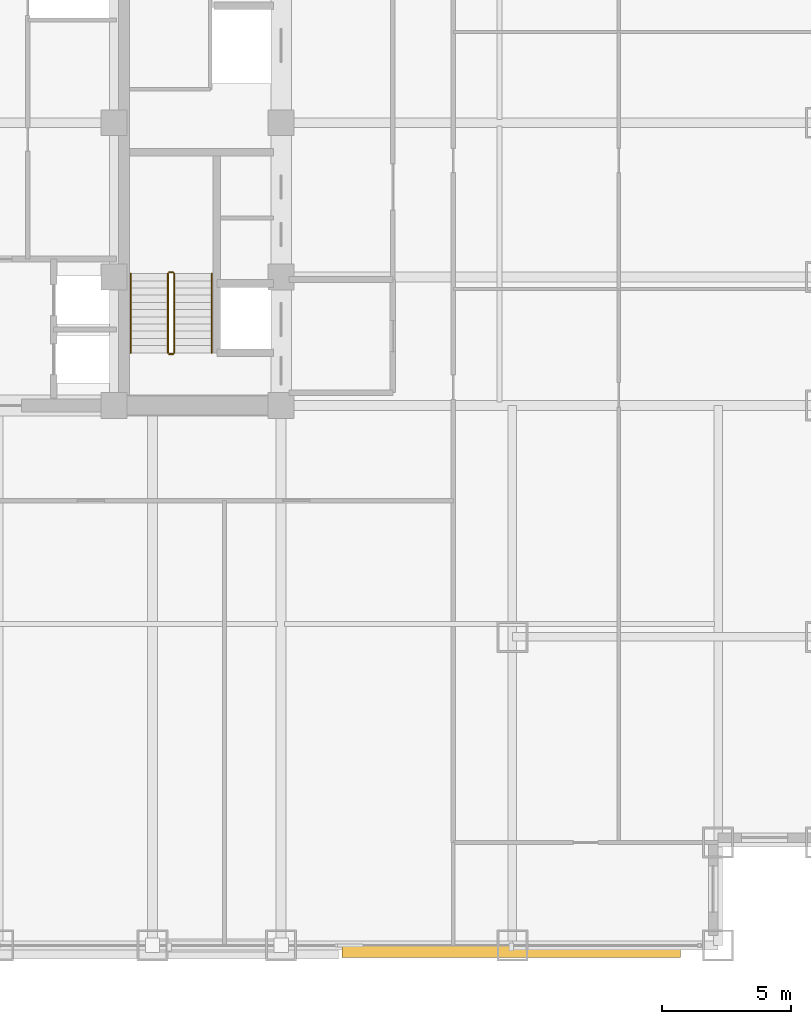
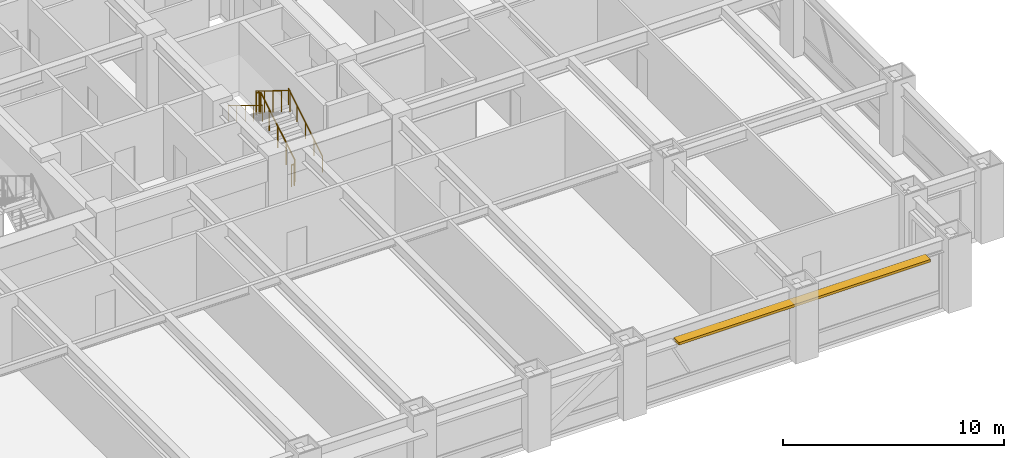
# One storey, part 30 of 32: 6 railings, 1 shading device.
"""IFC4 building model written with IfcOpenShell, lengths in metres."""

from ifc_helpers import new_model, si_unit, direction, frame, origin, origin_2d, place, context, subcontext, project, spatial, rectangle, circle, extrude, source, transform, mapped, material, layer, layer_set, type_object, element, save


model = new_model("IFC4")

# Units and contexts
model_context = context("Model", 3, precision=1e-05, world=origin(), true_north=direction((0.0, 1.0)))
body_context = subcontext(model_context, "Body", "Model", "MODEL_VIEW")
ifc_project = project(units=[si_unit("LENGTHUNIT", "METRE"), si_unit("AREAUNIT", "SQUARE_METRE"), si_unit("VOLUMEUNIT", "CUBIC_METRE"), si_unit("PLANEANGLEUNIT", "RADIAN"), si_unit("MASSUNIT", "GRAM", prefix="KILO")], contexts=[model_context])

# Site, building, storey
site_placement = place(None, origin())
site = spatial("IfcSite", under=ifc_project, at=site_placement, CompositionType="ELEMENT")
building_placement = place(site_placement, origin())
building = spatial("IfcBuilding", under=site, at=building_placement, Name="Khorayat Bourse Tower", CompositionType="ELEMENT")
storey_placement = place(building_placement, frame((0.0, 0.0, 132.39990234375)))
storey = spatial("IfcBuildingStorey", under=building, at=storey_placement, Name="L30", CompositionType="ELEMENT", Elevation=132.39990234375)

# Shading device
ifc_material_1 = material(Name="Precast concrete C45/55", Category="concrete")
ifc_layer = layer(ifc_material_1, 0.139892578125)
ifc_layer_set = layer_set([ifc_layer], Name="Precast concrete C45/55")
shading_device_type = type_object("IfcShadingDeviceType", Name="SHD-WAVE-TRAY-B", PredefinedType="USERDEFINED", material=ifc_layer_set)
shared_shape_1 = source(origin(), body_context, "Body", "SweptSolid", [
    extrude(rectangle(XDim=13.159912109375, YDim=0.48974609375, at=origin_2d()), origin(), (0.0, 0.0, 1.0), 0.139892578125),
])
shading_device_placement = place(storey_placement, frame((19.949951171875, -32.224853515625, 3.09033203125), z_axis=(0.0, 0.0, 1.0), x_axis=(1.0, 0.0, 0.0)))
element("IfcShadingDevice", 1, at=shading_device_placement, inside=storey, type_object=shading_device_type, Name="L30 Sinusoidal Wave Sunshade Tray S-4", ObjectType="SUNSHADE", PredefinedType="USERDEFINED", context=body_context, shape_type="MappedRepresentation", body=[
    mapped(shared_shape_1, transform((0.0, 0.0, 0.0), scale=1.0)),
])

# Railings
ifc_material_2 = material(Name="Powder-coated steel balustrade", Category="steel")
railing_type_1 = type_object("IfcRailingType", Name="RLG-GUARD-1200", PredefinedType="GUARDRAIL", material=ifc_material_2)
shared_shape_2 = source(origin(), body_context, "Body", "SweptSolid", [
    extrude(circle(Radius=0.02392578125, at=origin_2d()), frame((0.0, 0.0, 1.17578125), z_axis=(-1.0, 0.0, 0.0), x_axis=(0.0, -1.0, 0.0)), (0.0, 0.0, 1.0), 0.150146484375),
    extrude(circle(Radius=0.02099609375, at=origin_2d()), origin(), (0.0, 0.0, 1.0), 1.15185546875),
    extrude(circle(Radius=0.02099609375, at=origin_2d()), frame((-0.150146484375, 0.0, 0.0)), (0.0, 0.0, 1.0), 1.15185546875),
])
for number, where, name in (
    (2, (6.800048828125, -5.820068359375, 2.050048828125), "L30 ST-3 stair guard 2"),
    (3, (6.800048828125, -9.0, 0.0), "L30 ST-3 stair guard 4"),
):
    element("IfcRailing", number, at=place(storey_placement, frame(where)), inside=storey, type_object=railing_type_1, Name=name, PredefinedType="GUARDRAIL", context=body_context, shape_type="MappedRepresentation", body=[
        mapped(shared_shape_2, transform((0.0, 0.0, 0.0), scale=1.0)),
    ])
shared_shape_3 = source(origin(), body_context, "Body", "SweptSolid", [
    extrude(circle(Radius=0.02392578125, at=origin_2d()), frame((0.0, 0.0, 1.17578125), z_axis=(0.0, 0.853647949592, 0.520850437417), x_axis=(-1.0, 0.0, 0.0)), (0.0, 0.0, 1.0), 3.60791015625),
    extrude(circle(Radius=0.02099609375, at=origin_2d()), origin(), (0.0, 0.0, 1.0), 1.15185546875),
    extrude(circle(Radius=0.02099609375, at=origin_2d()), frame((0.0, 0.77001953125, 0.4697265625)), (0.0, 0.0, 1.0), 1.15185546875),
    extrude(circle(Radius=0.02099609375, at=origin_2d()), frame((0.0, 1.5400390625, 0.939453125)), (0.0, 0.0, 1.0), 1.15185546875),
    extrude(circle(Radius=0.02099609375, at=origin_2d()), frame((0.0, 2.309814453125, 1.409423828125)), (0.0, 0.0, 1.0), 1.15185546875),
    extrude(circle(Radius=0.02099609375, at=origin_2d()), frame((0.0, 3.079833984375, 1.879150390625)), (0.0, 0.0, 1.0), 1.15185546875),
])
railing_1_placement = place(storey_placement, frame((6.85009765625, -8.949951171875, 0.1708984375)))
element("IfcRailing", 4, at=railing_1_placement, inside=storey, type_object=railing_type_1, Name="L30 ST-3 stair guard 1", PredefinedType="GUARDRAIL", context=body_context, shape_type="MappedRepresentation", body=[
    mapped(shared_shape_3, transform((0.0, 0.0, 0.0), scale=1.0)),
])
shared_shape_4 = source(origin(), body_context, "Body", "SweptSolid", [
    extrude(circle(Radius=0.02392578125, at=origin_2d()), frame((0.0, 0.0, 1.17578125), z_axis=(0.0, -0.853647949592, 0.520850437417), x_axis=(1.0, 0.0, 0.0)), (0.0, 0.0, 1.0), 3.60791015625),
    extrude(circle(Radius=0.02099609375, at=origin_2d()), origin(), (0.0, 0.0, 1.0), 1.15185546875),
    extrude(circle(Radius=0.02099609375, at=origin_2d()), frame((0.0, -0.77001953125, 0.4697265625)), (0.0, 0.0, 1.0), 1.15185546875),
    extrude(circle(Radius=0.02099609375, at=origin_2d()), frame((0.0, -1.5400390625, 0.939453125)), (0.0, 0.0, 1.0), 1.15185546875),
    extrude(circle(Radius=0.02099609375, at=origin_2d()), frame((0.0, -2.309814453125, 1.409423828125)), (0.0, 0.0, 1.0), 1.15185546875),
    extrude(circle(Radius=0.02099609375, at=origin_2d()), frame((0.0, -3.079833984375, 1.879150390625)), (0.0, 0.0, 1.0), 1.15185546875),
])
railing_2_placement = place(storey_placement, frame((6.60009765625, -5.8701171875, 2.220947265625)))
element("IfcRailing", 5, at=railing_2_placement, inside=storey, type_object=railing_type_1, Name="L30 ST-3 stair guard 3", PredefinedType="GUARDRAIL", context=body_context, shape_type="MappedRepresentation", body=[
    mapped(shared_shape_4, transform((0.0, 0.0, 0.0), scale=1.0)),
])
ifc_material_3 = material(Name="Brushed bronze stainless-steel handrail", Category="steel")
railing_type_2 = type_object("IfcRailingType", Name="RLG-HAND-900", PredefinedType="HANDRAIL", material=ifc_material_3)
shared_shape_5 = source(origin(), body_context, "Body", "SweptSolid", [
    extrude(circle(Radius=0.02392578125, at=origin_2d()), frame((0.0, 0.0, 0.8759765625), z_axis=(0.0, 0.853647949592, 0.520850437417), x_axis=(-1.0, 0.0, 0.0)), (0.0, 0.0, 1.0), 3.60791015625),
    extrude(circle(Radius=0.02099609375, at=origin_2d()), origin(), (0.0, 0.0, 1.0), 0.851806640625),
    extrude(circle(Radius=0.02099609375, at=origin_2d()), frame((0.0, 0.77001953125, 0.4697265625)), (0.0, 0.0, 1.0), 0.851806640625),
    extrude(circle(Radius=0.02099609375, at=origin_2d()), frame((0.0, 1.5400390625, 0.939453125)), (0.0, 0.0, 1.0), 0.851806640625),
    extrude(circle(Radius=0.02099609375, at=origin_2d()), frame((0.0, 2.309814453125, 1.409423828125)), (0.0, 0.0, 1.0), 0.851806640625),
    extrude(circle(Radius=0.02099609375, at=origin_2d()), frame((0.0, 3.079833984375, 1.879150390625)), (0.0, 0.0, 1.0), 0.851806640625),
])
railing_3_placement = place(storey_placement, frame((8.300048828125, -8.949951171875, 0.1708984375)))
element("IfcRailing", 6, at=railing_3_placement, inside=storey, type_object=railing_type_2, Name="L30 ST-3 stair handrail 1", PredefinedType="HANDRAIL", context=body_context, shape_type="MappedRepresentation", body=[
    mapped(shared_shape_5, transform((0.0, 0.0, 0.0), scale=1.0)),
])
shared_shape_6 = source(origin(), body_context, "Body", "SweptSolid", [
    extrude(circle(Radius=0.02392578125, at=origin_2d()), frame((0.0, 0.0, 0.8759765625), z_axis=(0.0, -0.853647949592, 0.520850437417), x_axis=(1.0, 0.0, 0.0)), (0.0, 0.0, 1.0), 3.60791015625),
    extrude(circle(Radius=0.02099609375, at=origin_2d()), origin(), (0.0, 0.0, 1.0), 0.851806640625),
    extrude(circle(Radius=0.02099609375, at=origin_2d()), frame((0.0, -0.77001953125, 0.4697265625)), (0.0, 0.0, 1.0), 0.851806640625),
    extrude(circle(Radius=0.02099609375, at=origin_2d()), frame((0.0, -1.5400390625, 0.939453125)), (0.0, 0.0, 1.0), 0.851806640625),
    extrude(circle(Radius=0.02099609375, at=origin_2d()), frame((0.0, -2.309814453125, 1.409423828125)), (0.0, 0.0, 1.0), 0.851806640625),
    extrude(circle(Radius=0.02099609375, at=origin_2d()), frame((0.0, -3.079833984375, 1.879150390625)), (0.0, 0.0, 1.0), 0.851806640625),
])
railing_4_placement = place(storey_placement, frame((5.14990234375, -5.8701171875, 2.220947265625)))
element("IfcRailing", 7, at=railing_4_placement, inside=storey, type_object=railing_type_2, Name="L30 ST-3 stair handrail 2", PredefinedType="HANDRAIL", context=body_context, shape_type="MappedRepresentation", body=[
    mapped(shared_shape_6, transform((0.0, 0.0, 0.0), scale=1.0)),
])

save(model, "model.ifc")
